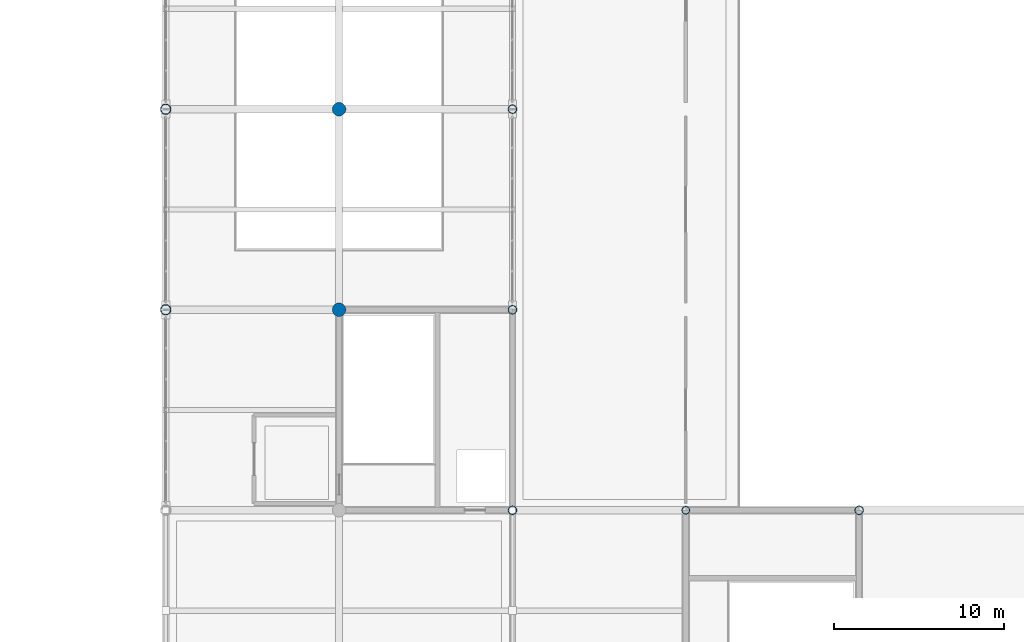
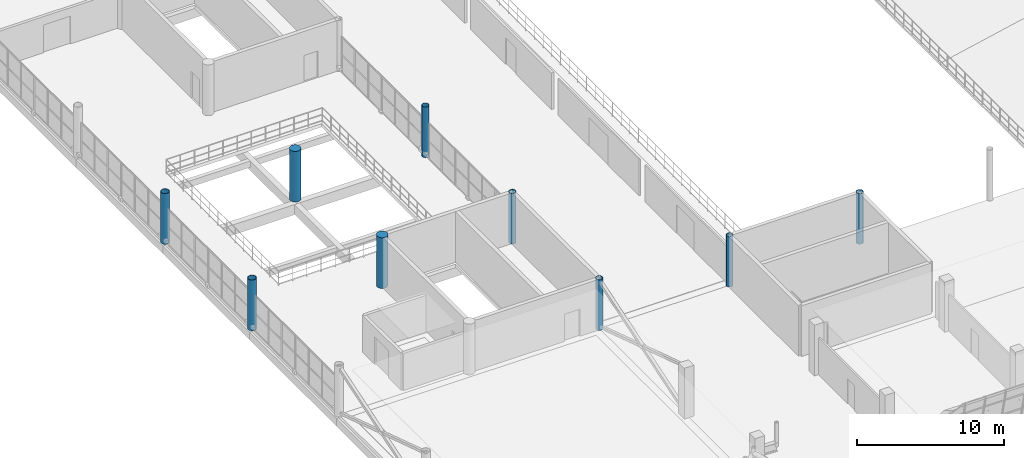
# One storey, part 10 of 157: 9 columns.
"""IFC4 building model written with IfcOpenShell, lengths in metres."""

from ifc_helpers import new_model, si_unit, direction, frame, origin, origin_2d, place, context, subcontext, project, spatial, circle, hollow_circle, extrude, material, material_profile, profile_set, type_object, element, save


model = new_model("IFC4")

# Units and contexts
model_context = context("Model", 3, precision=1e-05, world=origin(), true_north=direction((0.0, 1.0)))
body_context = subcontext(model_context, "Body", "Model", "MODEL_VIEW")
ifc_project = project(units=[si_unit("LENGTHUNIT", "METRE"), si_unit("AREAUNIT", "SQUARE_METRE"), si_unit("VOLUMEUNIT", "CUBIC_METRE"), si_unit("PLANEANGLEUNIT", "RADIAN"), si_unit("MASSUNIT", "GRAM", prefix="KILO")], contexts=[model_context])

# Site, building, storey
site_placement = place(None, origin())
site = spatial("IfcSite", under=ifc_project, at=site_placement, CompositionType="ELEMENT")
building_placement = place(site_placement, origin())
building = spatial("IfcBuilding", under=site, at=building_placement, Name="Brelvane Convention Centre", CompositionType="ELEMENT")
storey_placement = place(building_placement, frame((0.0, 0.0, 10.800048828125)))
storey = spatial("IfcBuildingStorey", under=building, at=storey_placement, Name="L02", CompositionType="ELEMENT", Elevation=10.800048828125)

# Columns
ifc_material_1 = material(Name="Concrete M50", Category="concrete")
ifc_material_profile_1 = material_profile(ifc_material_1, circle(Radius=0.39990234375, at=origin_2d()), Name="RC-CIRC D800")
ifc_profile_set_1 = profile_set([ifc_material_profile_1], Name="Concrete M50")
column_type_1 = type_object("IfcColumnType", Name="RC Column C-RC7 (RC-CIRC D800)", PredefinedType="COLUMN", material=ifc_profile_set_1)
for number, where, z_axis, x_axis, name in (
    (1, (153.0, 52.39990234375, 0.0), (0.0, 0.0, 1.0), (1.0, 0.0, 0.0), "Column 16-F (L02)"),
    (2, (153.0, 64.199951171875, 0.0), (0.0, 0.0, 1.0), (1.0, 0.0, 0.0), "Column 16-G (L02)"),
):
    element("IfcColumn", number, at=place(storey_placement, frame(where, z_axis=z_axis, x_axis=x_axis)), inside=storey, type_object=column_type_1, Name=name, PredefinedType="COLUMN", context=body_context, shape_type="SweptSolid", body=[
        extrude(circle(Radius=0.39990234375, at=origin_2d()), origin(), (0.0, 0.0, 1.0), 4.199951171875),
    ])
ifc_material_2 = material(Name="Steel E450 (450 MPa)", Category="steel")
ifc_material_profile_2 = material_profile(ifc_material_2, hollow_circle(Radius=0.304931640625, WallThickness=0.02490234375, at=origin_2d()), Name="CHS 610.0x25.0")
ifc_profile_set_2 = profile_set([ifc_material_profile_2], Name="Steel E450 (450 MPa)")
column_type_2 = type_object("IfcColumnType", Name="Steel Column C-ST1 (CHS 610.0x25.0)", PredefinedType="COLUMN", material=ifc_profile_set_2)
for number, where, z_axis, x_axis, name in (
    (3, (142.800048828125, 52.39990234375, 0.0), (0.0, 0.0, 1.0), (1.0, 0.0, 0.0), "Column 15-F (L02)"),
    (4, (142.800048828125, 64.199951171875, 0.0), (0.0, 0.0, 1.0), (1.0, 0.0, 0.0), "Column 15-G (L02)"),
):
    element("IfcColumn", number, at=place(storey_placement, frame(where, z_axis=z_axis, x_axis=x_axis)), inside=storey, type_object=column_type_2, Name=name, PredefinedType="COLUMN", context=body_context, shape_type="SweptSolid", body=[
        extrude(hollow_circle(Radius=0.304931640625, WallThickness=0.02490234375, at=origin_2d()), origin(), (0.0, 0.0, 1.0), 4.199951171875),
    ])
ifc_material_3 = material(Name="Steel E450 (450 MPa)", Category="steel")
ifc_material_profile_3 = material_profile(ifc_material_3, hollow_circle(Radius=0.25390625, WallThickness=0.02001953125, at=origin_2d()), Name="CHS 508.0x20.0")
ifc_profile_set_3 = profile_set([ifc_material_profile_3], Name="Steel E450 (450 MPa)")
column_type_3 = type_object("IfcColumnType", Name="Steel Column C-ST2 (CHS 508.0x20.0)", PredefinedType="COLUMN", material=ifc_profile_set_3)
for number, where, z_axis, x_axis, name in (
    (5, (163.199951171875, 40.60009765625, 0.0), (0.0, 0.0, 1.0), (1.0, 0.0, 0.0), "Column 17-E (L02)"),
    (6, (163.199951171875, 52.39990234375, 0.0), (0.0, 0.0, 1.0), (1.0, 0.0, 0.0), "Column 17-F (L02)"),
    (7, (163.199951171875, 64.199951171875, 0.0), (0.0, 0.0, 1.0), (1.0, 0.0, 0.0), "Column 17-G (L02)"),
    (8, (183.60009765625, 40.60009765625, 0.0), (0.0, 0.0, 1.0), (1.0, 0.0, 0.0), "Column 19-E (L02)"),
):
    element("IfcColumn", number, at=place(storey_placement, frame(where, z_axis=z_axis, x_axis=x_axis)), inside=storey, type_object=column_type_3, Name=name, PredefinedType="COLUMN", context=body_context, shape_type="SweptSolid", body=[
        extrude(hollow_circle(Radius=0.25390625, WallThickness=0.02001953125, at=origin_2d()), origin(), (0.0, 0.0, 1.0), 4.199951171875),
    ])
ifc_material_4 = material(Name="Steel E450 (450 MPa)", Category="steel")
ifc_material_profile_4 = material_profile(ifc_material_4, hollow_circle(Radius=0.228515625, WallThickness=0.02001953125, at=origin_2d()), Name="CHS 457.0x20.0")
ifc_profile_set_4 = profile_set([ifc_material_profile_4], Name="Steel E450 (450 MPa)")
column_type_4 = type_object("IfcColumnType", Name="Steel Column C-ST3 (CHS 457.0x20.0)", PredefinedType="COLUMN", material=ifc_profile_set_4)
column_placement = place(storey_placement, frame((173.39990234375, 40.60009765625, 0.0), z_axis=(0.0, 0.0, 1.0), x_axis=(1.0, 0.0, 0.0)))
element("IfcColumn", 9, at=column_placement, inside=storey, type_object=column_type_4, Name="Column 18-E (L02)", PredefinedType="COLUMN", context=body_context, shape_type="SweptSolid", body=[
    extrude(hollow_circle(Radius=0.228515625, WallThickness=0.02001953125, at=origin_2d()), origin(), (0.0, 0.0, 1.0), 4.199951171875),
])

save(model, "model.ifc")
